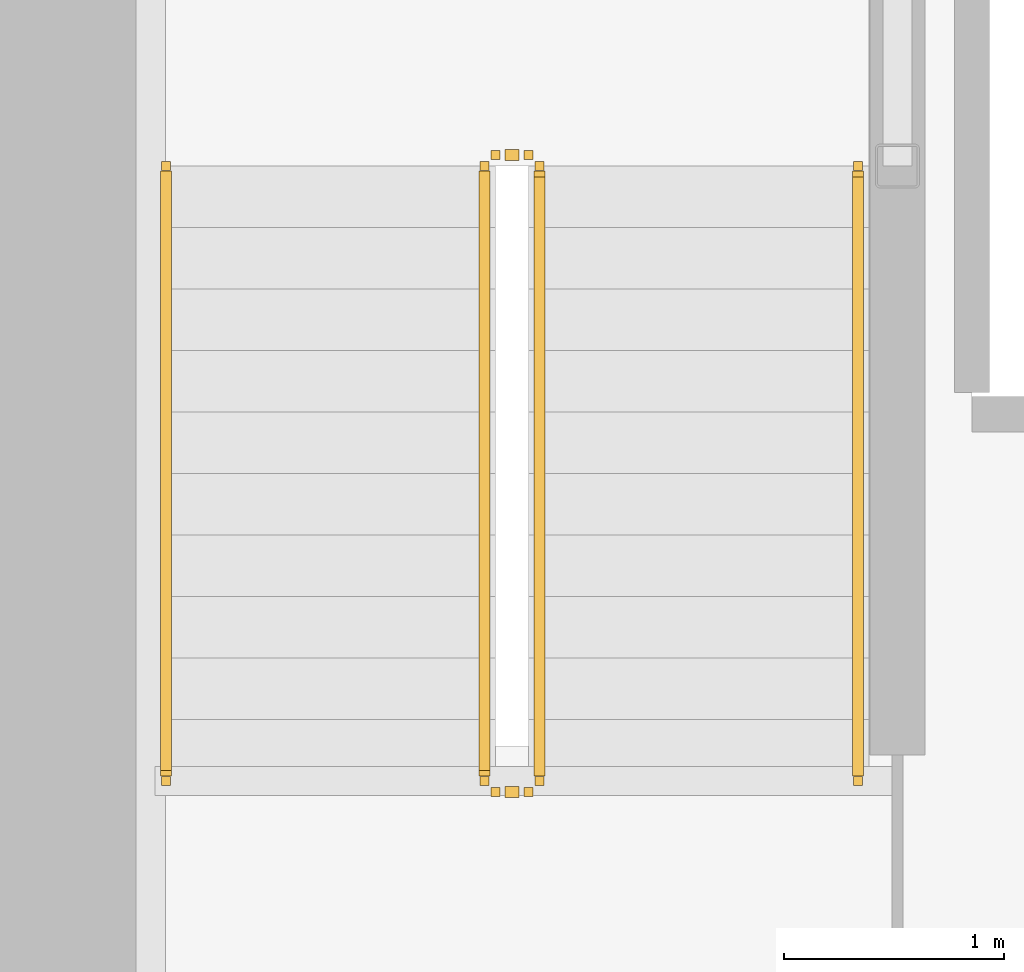
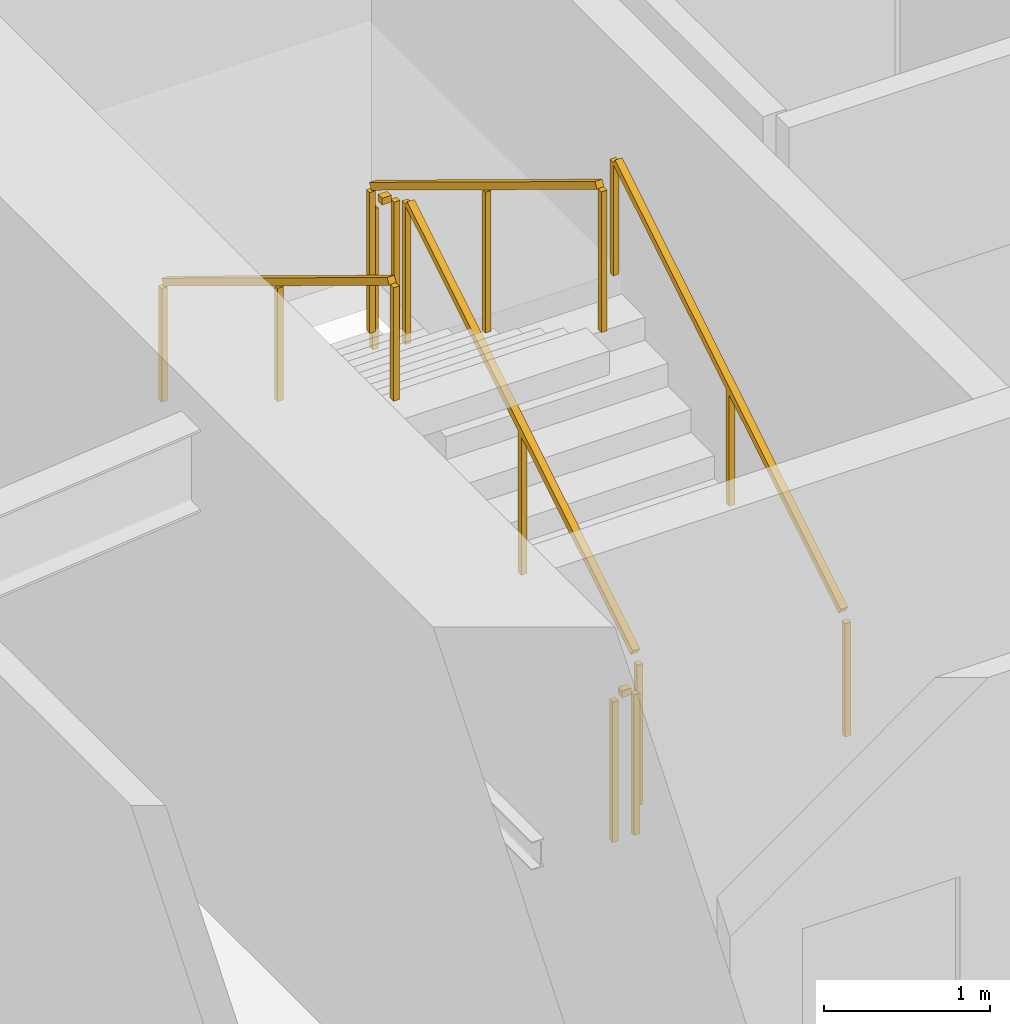
# One storey, part 25 of 30: 6 railings.
"""IFC4 building model written with IfcOpenShell, lengths in metres."""

from ifc_helpers import new_model, si_unit, direction, frame, origin, origin_2d, place, context, subcontext, project, spatial, rectangle, extrude, material, type_object, element, save


model = new_model("IFC4")

# Units and contexts
model_context = context("Model", 3, precision=1e-05, world=origin(), true_north=direction((0.0, 1.0)))
body_context = subcontext(model_context, "Body", "Model", "MODEL_VIEW")
ifc_project = project(units=[si_unit("LENGTHUNIT", "METRE"), si_unit("AREAUNIT", "SQUARE_METRE"), si_unit("VOLUMEUNIT", "CUBIC_METRE"), si_unit("PLANEANGLEUNIT", "RADIAN"), si_unit("MASSUNIT", "GRAM", prefix="KILO")], contexts=[model_context])

# Site, building, storey
site_placement = place(None, origin())
site = spatial("IfcSite", under=ifc_project, at=site_placement, CompositionType="ELEMENT")
building_placement = place(site_placement, origin())
building = spatial("IfcBuilding", under=site, at=building_placement, Name="Kazma Halo Residences", CompositionType="ELEMENT")
storey_placement = place(building_placement, frame((0.0, 0.0, 56.39990234375)))
storey = spatial("IfcBuildingStorey", under=building, at=storey_placement, Name="L13", CompositionType="ELEMENT", Elevation=56.39990234375)

# Railings
ifc_material_1 = material(Name="Painted Steel S355", Category="steel")
railing_type_1 = type_object("IfcRailingType", Name="RLG-STAIR-GRD-1100", PredefinedType="GUARDRAIL", material=ifc_material_1)
railing_1_placement = place(storey_placement, frame((39.550048828125, 39.949951171875, 0.170654296875)))
element("IfcRailing", 1, at=railing_1_placement, inside=storey, type_object=railing_type_1, Name="L13 ST-01 stair guard 1", PredefinedType="GUARDRAIL", context=body_context, shape_type="SweptSolid", body=[
    extrude(rectangle(XDim=0.050048828125, YDim=0.050048828125, at=origin_2d()), frame((0.0, 0.036376953125, 1.09716796875), z_axis=(0.0, 0.854202870247, 0.519939858505), x_axis=(-1.0, 0.0, 0.0)), (0.0, 0.0, 1.0), 3.19287109375),
    extrude(rectangle(XDim=0.0400390625, YDim=0.0400390625, at=origin_2d()), origin(), (0.0, 0.0, 1.0), 1.0380859375),
    extrude(rectangle(XDim=0.0400390625, YDim=0.0400390625, at=origin_2d()), frame((0.0, 1.39990234375, 0.85205078125)), (0.0, 0.0, 1.0), 1.0380859375),
    extrude(rectangle(XDim=0.0400390625, YDim=0.0400390625, at=origin_2d()), frame((0.0, 2.800048828125, 1.704345703125)), (0.0, 0.0, 1.0), 1.0380859375),
])
railing_2_placement = place(storey_placement, frame((39.5, 42.800048828125, 1.875)))
element("IfcRailing", 2, at=railing_2_placement, inside=storey, type_object=railing_type_1, Name="L13 ST-01 stair guard 2", PredefinedType="GUARDRAIL", context=body_context, shape_type="SweptSolid", body=[
    extrude(rectangle(XDim=0.050048828125, YDim=0.050048828125, at=origin_2d()), frame((-0.04248046875, 0.0, 1.0751953125), z_axis=(-1.0, 0.0, 0.0), x_axis=(0.0, -1.0, 0.0)), (0.0, 0.0, 1.0), 0.06494140625),
    extrude(rectangle(XDim=0.0400390625, YDim=0.0400390625, at=origin_2d()), origin(), (0.0, 0.0, 1.0), 1.0380859375),
    extrude(rectangle(XDim=0.0400390625, YDim=0.0400390625, at=origin_2d()), frame((-0.14990234375, 0.0, 0.0)), (0.0, 0.0, 1.0), 1.0380859375),
])
railing_3_placement = place(storey_placement, frame((39.300048828125, 42.75, 2.045654296875)))
element("IfcRailing", 3, at=railing_3_placement, inside=storey, type_object=railing_type_1, Name="L13 ST-01 stair guard 3", PredefinedType="GUARDRAIL", context=body_context, shape_type="SweptSolid", body=[
    extrude(rectangle(XDim=0.050048828125, YDim=0.050048828125, at=origin_2d()), frame((0.0, -0.036376953125, 1.09716796875), z_axis=(0.0, -0.854202870247, 0.519939858505), x_axis=(1.0, 0.0, 0.0)), (0.0, 0.0, 1.0), 3.19287109375),
    extrude(rectangle(XDim=0.0400390625, YDim=0.0400390625, at=origin_2d()), origin(), (0.0, 0.0, 1.0), 1.0380859375),
    extrude(rectangle(XDim=0.0400390625, YDim=0.0400390625, at=origin_2d()), frame((0.0, -1.39990234375, 0.85205078125)), (0.0, 0.0, 1.0), 1.0380859375),
    extrude(rectangle(XDim=0.0400390625, YDim=0.0400390625, at=origin_2d()), frame((0.0, -2.800048828125, 1.704345703125)), (0.0, 0.0, 1.0), 1.0380859375),
])
railing_4_placement = place(storey_placement, frame((39.5, 39.89990234375, 0.0)))
element("IfcRailing", 4, at=railing_4_placement, inside=storey, type_object=railing_type_1, Name="L13 ST-01 stair guard 4", PredefinedType="GUARDRAIL", context=body_context, shape_type="SweptSolid", body=[
    extrude(rectangle(XDim=0.050048828125, YDim=0.050048828125, at=origin_2d()), frame((-0.04248046875, 0.0, 1.0751953125), z_axis=(-1.0, 0.0, 0.0), x_axis=(0.0, -1.0, 0.0)), (0.0, 0.0, 1.0), 0.06494140625),
    extrude(rectangle(XDim=0.0400390625, YDim=0.0400390625, at=origin_2d()), origin(), (0.0, 0.0, 1.0), 1.0380859375),
    extrude(rectangle(XDim=0.0400390625, YDim=0.0400390625, at=origin_2d()), frame((-0.14990234375, 0.0, 0.0)), (0.0, 0.0, 1.0), 1.0380859375),
])
ifc_material_2 = material(Name="Brushed Stainless Steel", Category="steel")
railing_type_2 = type_object("IfcRailingType", Name="RLG-STAIR-HND-900", PredefinedType="HANDRAIL", material=ifc_material_2)
railing_5_placement = place(storey_placement, frame((41.0, 39.949951171875, 0.170654296875)))
element("IfcRailing", 5, at=railing_5_placement, inside=storey, type_object=railing_type_2, Name="L13 ST-01 stair handrail 1", PredefinedType="HANDRAIL", context=body_context, shape_type="SweptSolid", body=[
    extrude(rectangle(XDim=0.050048828125, YDim=0.050048828125, at=origin_2d()), frame((0.0, 0.036376953125, 0.89697265625), z_axis=(0.0, 0.854202870247, 0.519939858505), x_axis=(-1.0, 0.0, 0.0)), (0.0, 0.0, 1.0), 3.19287109375),
    extrude(rectangle(XDim=0.0400390625, YDim=0.0400390625, at=origin_2d()), origin(), (0.0, 0.0, 1.0), 0.837890625),
    extrude(rectangle(XDim=0.0400390625, YDim=0.0400390625, at=origin_2d()), frame((0.0, 1.39990234375, 0.85205078125)), (0.0, 0.0, 1.0), 0.837890625),
    extrude(rectangle(XDim=0.0400390625, YDim=0.0400390625, at=origin_2d()), frame((0.0, 2.800048828125, 1.704345703125)), (0.0, 0.0, 1.0), 0.837890625),
])
railing_6_placement = place(storey_placement, frame((37.85009765625, 42.75, 2.045654296875)))
element("IfcRailing", 6, at=railing_6_placement, inside=storey, type_object=railing_type_2, Name="L13 ST-01 stair handrail 2", PredefinedType="HANDRAIL", context=body_context, shape_type="SweptSolid", body=[
    extrude(rectangle(XDim=0.050048828125, YDim=0.050048828125, at=origin_2d()), frame((0.0, -0.036376953125, 0.89697265625), z_axis=(0.0, -0.854202870247, 0.519939858505), x_axis=(1.0, 0.0, 0.0)), (0.0, 0.0, 1.0), 3.19287109375),
    extrude(rectangle(XDim=0.0400390625, YDim=0.0400390625, at=origin_2d()), origin(), (0.0, 0.0, 1.0), 0.837890625),
    extrude(rectangle(XDim=0.0400390625, YDim=0.0400390625, at=origin_2d()), frame((0.0, -1.39990234375, 0.85205078125)), (0.0, 0.0, 1.0), 0.837890625),
    extrude(rectangle(XDim=0.0400390625, YDim=0.0400390625, at=origin_2d()), frame((0.0, -2.800048828125, 1.704345703125)), (0.0, 0.0, 1.0), 0.837890625),
])

save(model, "model.ifc")
